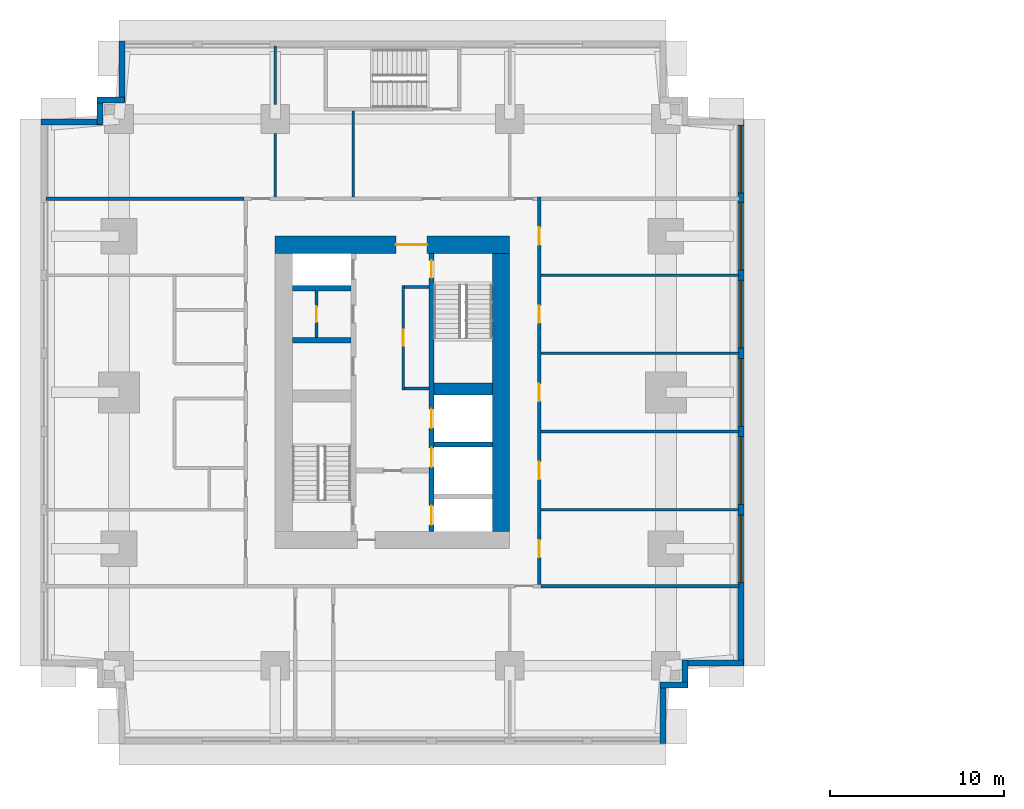
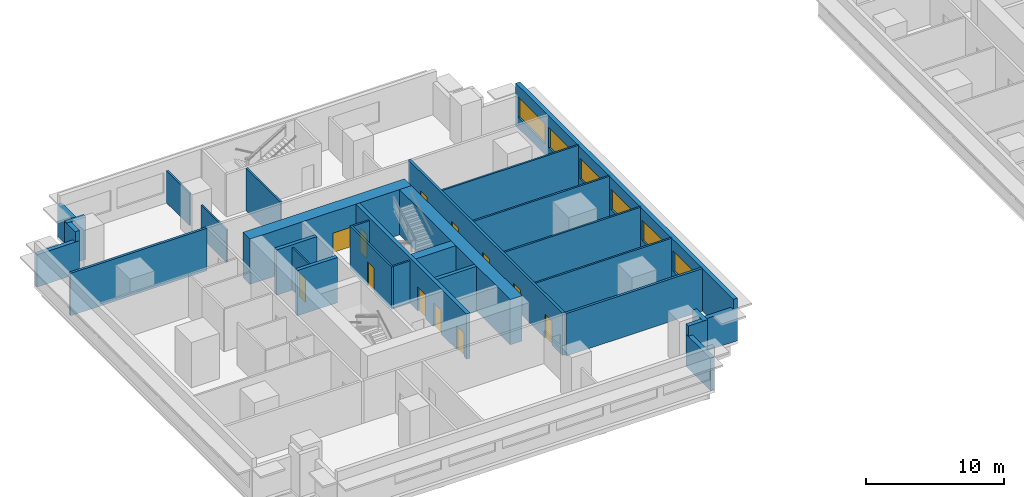
# One storey, part 4 of 11: 30 walls, 12 doors, 6 windows, 18 openings.
"""IFC4 building model written with IfcOpenShell, lengths in metres."""

from ifc_helpers import new_model, si_unit, direction, frame, frame_2d, origin, place, context, subcontext, project, spatial, rectangle, extrude, material, layer, layer_set, type_object, element, fill, save


model = new_model("IFC4")

# Units and contexts
model_context = context("Model", 3, precision=1e-05, world=origin(), true_north=direction((0.0, 1.0)))
body_context = subcontext(model_context, "Body", "Model", "MODEL_VIEW")
ifc_project = project(units=[si_unit("LENGTHUNIT", "METRE"), si_unit("AREAUNIT", "SQUARE_METRE"), si_unit("VOLUMEUNIT", "CUBIC_METRE"), si_unit("PLANEANGLEUNIT", "RADIAN"), si_unit("MASSUNIT", "GRAM", prefix="KILO")], contexts=[model_context])

# Site, building, storey
site_placement = place(None, origin())
site = spatial("IfcSite", under=ifc_project, at=site_placement, CompositionType="ELEMENT")
building_placement = place(site_placement, origin())
building = spatial("IfcBuilding", under=site, at=building_placement, Name="Namib Vertical Campus", CompositionType="ELEMENT")
storey_placement = place(building_placement, frame((0.0, 0.0, 177.0)))
storey = spatial("IfcBuildingStorey", under=building, at=storey_placement, Name="L41", CompositionType="ELEMENT", Elevation=177.0)

# Wall, openings, doors
ifc_material_1 = material(Name="Concrete C60/75", Category="concrete")
ifc_layer_1 = layer(ifc_material_1, 0.300048828125)
ifc_layer_set_1 = layer_set([ifc_layer_1], Name="Concrete C60/75")
wall_type_1 = type_object("IfcWallType", Name="Core inner wall 300", PredefinedType="SHEAR", material=ifc_layer_set_1)
wall_1_placement = place(storey_placement, frame((22.5, 12.25, 0.0), z_axis=(0.0, 0.0, 1.0), x_axis=(0.0, 1.0, 0.0)))
wall_1 = element("IfcWall", 1, at=wall_1_placement, inside=storey, type_object=wall_type_1, Name="Core inner wall A L41 W2", PredefinedType="SHEAR", context=body_context, shape_type="SweptSolid", body=[
    extrude(rectangle(XDim=16.0, YDim=0.300048828125, at=frame_2d((8.0, 0.0))), origin(), (0.0, 0.0, 1.0), 4.0),
])
opening_1_placement = place(wall_1_placement, frame((14.60009765625, 0.0, 0.0)))
opening_1 = element("IfcOpeningElement", 2, at=opening_1_placement, cuts=wall_1, Name="Opening FD1", PredefinedType="OPENING", context=body_context, shape_type="SweptSolid", body=[
    extrude(rectangle(XDim=1.0, YDim=2.10009765625, at=frame_2d((0.5, 1.050048828125))), frame((0.0, 0.159912109375, 0.0), z_axis=(0.0, -1.0, 0.0), x_axis=(1.0, 0.0, 0.0)), (0.0, 0.0, 1.0), 0.320068359375),
])
opening_2_placement = place(wall_1_placement, frame((0.375, 0.0, 0.0)))
opening_2 = element("IfcOpeningElement", 3, at=opening_2_placement, cuts=wall_1, Name="Opening LD1", PredefinedType="OPENING", context=body_context, shape_type="SweptSolid", body=[
    extrude(rectangle(XDim=1.10009765625, YDim=2.10009765625, at=frame_2d((0.550048828125, 1.050048828125))), frame((0.0, 0.159912109375, 0.0), z_axis=(0.0, -1.0, 0.0), x_axis=(1.0, 0.0, 0.0)), (0.0, 0.0, 1.0), 0.320068359375),
])
opening_3_placement = place(wall_1_placement, frame((3.699951171875, 0.0, 0.0)))
opening_3 = element("IfcOpeningElement", 4, at=opening_3_placement, cuts=wall_1, Name="Opening LD1", PredefinedType="OPENING", context=body_context, shape_type="SweptSolid", body=[
    extrude(rectangle(XDim=1.10009765625, YDim=2.10009765625, at=frame_2d((0.550048828125, 1.050048828125))), frame((0.0, 0.159912109375, 0.0), z_axis=(0.0, -1.0, 0.0), x_axis=(1.0, 0.0, 0.0)), (0.0, 0.0, 1.0), 0.320068359375),
])
opening_4_placement = place(wall_1_placement, frame((5.949951171875, 0.0, 0.0)))
opening_4 = element("IfcOpeningElement", 5, at=opening_4_placement, cuts=wall_1, Name="Opening LD1", PredefinedType="OPENING", context=body_context, shape_type="SweptSolid", body=[
    extrude(rectangle(XDim=1.10009765625, YDim=2.10009765625, at=frame_2d((0.550048828125, 1.050048828125))), frame((0.0, 0.159912109375, 0.0), z_axis=(0.0, -1.0, 0.0), x_axis=(1.0, 0.0, 0.0)), (0.0, 0.0, 1.0), 0.320068359375),
])
ifc_material_2 = material(Name="Steel fire door", Category="steel")
door_type_1 = type_object("IfcDoorType", Name="Fire door 1000x2100", OperationType="SINGLE_SWING_RIGHT", PredefinedType="DOOR", material=ifc_material_2)
door_1_placement = place(opening_1_placement, frame((1.0, 0.0, 0.0), z_axis=(0.0, 0.0, 1.0), x_axis=(-1.0, 0.0, 0.0)))
door_1 = element("IfcDoor", 6, at=door_1_placement, inside=storey, type_object=door_type_1, Name="Stair door FD1 A L41 S2", OperationType="SINGLE_SWING_LEFT", OverallHeight=2.10009765625, OverallWidth=1.0, PredefinedType="DOOR", context=body_context, shape_type="SweptSolid", body=[
    extrude(rectangle(XDim=1.0, YDim=2.10009765625, at=frame_2d((0.5, 1.050048828125))), frame((0.0, 0.02490234375, 0.0), z_axis=(0.0, -1.0, 0.0), x_axis=(1.0, 0.0, 0.0)), (0.0, 0.0, 1.0), 0.050048828125),
])
fill(opening_1, door_1)
ifc_material_3 = material(Name="Stainless steel lift door", Category="steel")
door_type_2 = type_object("IfcDoorType", Name="Lift landing door 1100x2100", OperationType="DOUBLE_DOOR_SLIDING", PredefinedType="DOOR", material=ifc_material_3)
door_2_placement = place(opening_2_placement, origin())
door_2 = element("IfcDoor", 7, at=door_2_placement, inside=storey, type_object=door_type_2, Name="Lift landing door LD1 A-FL1 L41", OperationType="DOUBLE_DOOR_SLIDING", OverallHeight=2.10009765625, OverallWidth=1.10009765625, PredefinedType="DOOR", context=body_context, shape_type="SweptSolid", body=[
    extrude(rectangle(XDim=1.10009765625, YDim=2.10009765625, at=frame_2d((0.550048828125, 1.050048828125))), frame((0.0, 0.02490234375, 0.0), z_axis=(0.0, -1.0, 0.0), x_axis=(1.0, 0.0, 0.0)), (0.0, 0.0, 1.0), 0.050048828125),
])
fill(opening_2, door_2)
door_3_placement = place(opening_3_placement, origin())
door_3 = element("IfcDoor", 8, at=door_3_placement, inside=storey, type_object=door_type_2, Name="Lift landing door LD1 A-P4 L41", OperationType="DOUBLE_DOOR_SLIDING", OverallHeight=2.10009765625, OverallWidth=1.10009765625, PredefinedType="DOOR", context=body_context, shape_type="SweptSolid", body=[
    extrude(rectangle(XDim=1.10009765625, YDim=2.10009765625, at=frame_2d((0.550048828125, 1.050048828125))), frame((0.0, 0.02490234375, 0.0), z_axis=(0.0, -1.0, 0.0), x_axis=(1.0, 0.0, 0.0)), (0.0, 0.0, 1.0), 0.050048828125),
])
fill(opening_3, door_3)
door_4_placement = place(opening_4_placement, origin())
door_4 = element("IfcDoor", 9, at=door_4_placement, inside=storey, type_object=door_type_2, Name="Lift landing door LD1 A-P5 L41", OperationType="DOUBLE_DOOR_SLIDING", OverallHeight=2.10009765625, OverallWidth=1.10009765625, PredefinedType="DOOR", context=body_context, shape_type="SweptSolid", body=[
    extrude(rectangle(XDim=1.10009765625, YDim=2.10009765625, at=frame_2d((0.550048828125, 1.050048828125))), frame((0.0, 0.02490234375, 0.0), z_axis=(0.0, -1.0, 0.0), x_axis=(1.0, 0.0, 0.0)), (0.0, 0.0, 1.0), 0.050048828125),
])
fill(opening_4, door_4)

# Walls
for number, where, z_axis, x_axis, name in (
    (10, (22.64990234375, 17.25, 0.0), (0.0, 0.0, 1.0), (1.0, 0.0, 0.0), "Core inner wall A L41 W6"),
    (11, (14.5, 23.25, 0.0), (0.0, 0.0, 1.0), (1.0, 0.0, 0.0), "Core inner wall A L41 W8"),
    (12, (14.5, 26.25, 0.0), (0.0, 0.0, 1.0), (1.0, 0.0, 0.0), "Core inner wall A L41 W9"),
):
    element("IfcWall", number, at=place(storey_placement, frame(where, z_axis=z_axis, x_axis=x_axis)), inside=storey, type_object=wall_type_1, Name=name, PredefinedType="SHEAR", context=body_context, shape_type="SweptSolid", body=[
        extrude(rectangle(XDim=3.35009765625, YDim=0.300048828125, at=frame_2d((1.675048828125, 0.0))), origin(), (0.0, 0.0, 1.0), 4.0),
    ])
ifc_material_4 = material(Name="Concrete C60/75", Category="concrete")
ifc_layer_2 = layer(ifc_material_4, 0.699951171875)
ifc_layer_set_2 = layer_set([ifc_layer_2], Name="Concrete C60/75")
wall_type_2 = type_object("IfcWallType", Name="Core shear wall 700", PredefinedType="SHEAR", material=ifc_layer_set_2)
wall_2_placement = place(storey_placement, frame((22.64990234375, 20.449951171875, 0.0), z_axis=(0.0, 0.0, 1.0), x_axis=(1.0, 0.0, 0.0)))
element("IfcWall", 13, at=wall_2_placement, inside=storey, type_object=wall_type_2, Name="Core shear wall A L41 W7", PredefinedType="SHEAR", context=body_context, shape_type="SweptSolid", body=[
    extrude(rectangle(XDim=3.35009765625, YDim=0.699951171875, at=frame_2d((1.675048828125, 0.0))), origin(), (0.0, 0.0, 1.0), 4.0),
])
ifc_material_5 = material(Name="Concrete C60/75", Category="concrete")
ifc_layer_3 = layer(ifc_material_5, 1.0)
ifc_layer_set_3 = layer_set([ifc_layer_3], Name="Concrete C60/75")
wall_type_3 = type_object("IfcWallType", Name="Core wall 1000", PredefinedType="SHEAR", material=ifc_layer_set_3)
wall_3_placement = place(storey_placement, frame((26.5, 12.25, 0.0), z_axis=(0.0, 0.0, 1.0), x_axis=(0.0, 1.0, 0.0)))
element("IfcWall", 14, at=wall_3_placement, inside=storey, type_object=wall_type_3, Name="Core wall A L41 2", PredefinedType="SHEAR", context=body_context, shape_type="SweptSolid", body=[
    extrude(rectangle(XDim=16.0, YDim=1.0, at=frame_2d((8.0, 0.0))), origin(), (0.0, 0.0, 1.0), 4.0),
])

# Wall, opening, door
wall_4_placement = place(storey_placement, frame((27.0, 28.75, 0.0), z_axis=(0.0, 0.0, 1.0), x_axis=(-1.0, 0.0, 0.0)))
wall_4 = element("IfcWall", 15, at=wall_4_placement, inside=storey, type_object=wall_type_3, Name="Core wall A L41 3", PredefinedType="SHEAR", context=body_context, shape_type="SweptSolid", body=[
    extrude(rectangle(XDim=13.5, YDim=1.0, at=frame_2d((6.75, 0.0))), origin(), (0.0, 0.0, 1.0), 4.0),
])
opening_5_placement = place(wall_4_placement, frame((4.75, 0.0, 0.0)))
opening_5 = element("IfcOpeningElement", 16, at=opening_5_placement, cuts=wall_4, Name="Opening FD2", PredefinedType="OPENING", context=body_context, shape_type="SweptSolid", body=[
    extrude(rectangle(XDim=1.800048828125, YDim=2.10009765625, at=frame_2d((0.89990234375, 1.050048828125))), frame((0.0, 0.510009765625, 0.0), z_axis=(0.0, -1.0, 0.0), x_axis=(1.0, 0.0, 0.0)), (0.0, 0.0, 1.0), 1.02001953125),
])
ifc_material_6 = material(Name="Steel fire door", Category="steel")
door_type_3 = type_object("IfcDoorType", Name="Fire door double 1800x2100", OperationType="DOUBLE_DOOR_SINGLE_SWING", PredefinedType="DOOR", material=ifc_material_6)
door_5_placement = place(opening_5_placement, origin())
door_5 = element("IfcDoor", 17, at=door_5_placement, inside=storey, type_object=door_type_3, Name="Lift lobby door FD2 A L41", OperationType="DOUBLE_DOOR_SINGLE_SWING", OverallHeight=2.10009765625, OverallWidth=1.800048828125, PredefinedType="DOOR", context=body_context, shape_type="SweptSolid", body=[
    extrude(rectangle(XDim=1.800048828125, YDim=2.10009765625, at=frame_2d((0.89990234375, 1.050048828125))), frame((0.0, 0.02490234375, 0.0), z_axis=(0.0, -1.0, 0.0), x_axis=(1.0, 0.0, 0.0)), (0.0, 0.0, 1.0), 0.050048828125),
])
fill(opening_5, door_5)

# Wall, openings, doors
ifc_material_7 = material(Name="Concrete masonry", Category="masonry")
ifc_layer_4 = layer(ifc_material_7, 0.199951171875)
ifc_layer_set_4 = layer_set([ifc_layer_4], Name="Corridor wall 200")
wall_type_4 = type_object("IfcWallType", Name="Corridor wall 200", PredefinedType="SOLIDWALL", material=ifc_layer_set_4)
wall_5_placement = place(storey_placement, frame((28.699951171875, 9.199951171875, 0.0), z_axis=(0.0, 0.0, 1.0), x_axis=(0.0, 1.0, 0.0)))
wall_5 = element("IfcWall", 18, at=wall_5_placement, inside=storey, type_object=wall_type_4, Name="Corridor wall A L41 CE", PredefinedType="SOLIDWALL", context=body_context, shape_type="SweptSolid", body=[
    extrude(rectangle(XDim=22.300048828125, YDim=0.199951171875, at=frame_2d((11.14990234375, 0.0))), origin(), (0.0, 0.0, 1.0), 3.75),
])
opening_6_placement = place(wall_5_placement, frame((1.550048828125, 0.0, 0.0)))
opening_6 = element("IfcOpeningElement", 19, at=opening_6_placement, cuts=wall_5, Name="Opening CD1", PredefinedType="OPENING", context=body_context, shape_type="SweptSolid", body=[
    extrude(rectangle(XDim=1.0, YDim=2.10009765625, at=frame_2d((0.5, 1.050048828125))), frame((0.0, 0.10986328125, 0.0), z_axis=(0.0, -1.0, 0.0), x_axis=(1.0, 0.0, 0.0)), (0.0, 0.0, 1.0), 0.219970703125),
])
opening_7_placement = place(wall_5_placement, frame((6.050048828125, 0.0, 0.0)))
opening_7 = element("IfcOpeningElement", 20, at=opening_7_placement, cuts=wall_5, Name="Opening CD1", PredefinedType="OPENING", context=body_context, shape_type="SweptSolid", body=[
    extrude(rectangle(XDim=1.0, YDim=2.10009765625, at=frame_2d((0.5, 1.050048828125))), frame((0.0, 0.10986328125, 0.0), z_axis=(0.0, -1.0, 0.0), x_axis=(1.0, 0.0, 0.0)), (0.0, 0.0, 1.0), 0.219970703125),
])
opening_8_placement = place(wall_5_placement, frame((10.550048828125, 0.0, 0.0)))
opening_8 = element("IfcOpeningElement", 21, at=opening_8_placement, cuts=wall_5, Name="Opening CD1", PredefinedType="OPENING", context=body_context, shape_type="SweptSolid", body=[
    extrude(rectangle(XDim=1.0, YDim=2.10009765625, at=frame_2d((0.5, 1.050048828125))), frame((0.0, 0.10986328125, 0.0), z_axis=(0.0, -1.0, 0.0), x_axis=(1.0, 0.0, 0.0)), (0.0, 0.0, 1.0), 0.219970703125),
])
opening_9_placement = place(wall_5_placement, frame((15.050048828125, 0.0, 0.0)))
opening_9 = element("IfcOpeningElement", 22, at=opening_9_placement, cuts=wall_5, Name="Opening CD1", PredefinedType="OPENING", context=body_context, shape_type="SweptSolid", body=[
    extrude(rectangle(XDim=1.0, YDim=2.10009765625, at=frame_2d((0.5, 1.050048828125))), frame((0.0, 0.10986328125, 0.0), z_axis=(0.0, -1.0, 0.0), x_axis=(1.0, 0.0, 0.0)), (0.0, 0.0, 1.0), 0.219970703125),
])
opening_10_placement = place(wall_5_placement, frame((19.550048828125, 0.0, 0.0)))
opening_10 = element("IfcOpeningElement", 23, at=opening_10_placement, cuts=wall_5, Name="Opening CD1", PredefinedType="OPENING", context=body_context, shape_type="SweptSolid", body=[
    extrude(rectangle(XDim=1.0, YDim=2.10009765625, at=frame_2d((0.5, 1.050048828125))), frame((0.0, 0.10986328125, 0.0), z_axis=(0.0, -1.0, 0.0), x_axis=(1.0, 0.0, 0.0)), (0.0, 0.0, 1.0), 0.219970703125),
])
ifc_material_8 = material(Name="Timber fire door leaf", Category="wood")
door_type_4 = type_object("IfcDoorType", Name="Corridor door 1000x2100 20 min", OperationType="SINGLE_SWING_LEFT", PredefinedType="DOOR", material=ifc_material_8)
door_6_placement = place(opening_6_placement, frame((1.0, 0.0, 0.0), z_axis=(0.0, 0.0, 1.0), x_axis=(-1.0, 0.0, 0.0)))
door_6 = element("IfcDoor", 24, at=door_6_placement, inside=storey, type_object=door_type_4, Name="Door CD1 A41-04", OperationType="SINGLE_SWING_RIGHT", OverallHeight=2.10009765625, OverallWidth=1.0, PredefinedType="DOOR", context=body_context, shape_type="SweptSolid", body=[
    extrude(rectangle(XDim=1.0, YDim=2.10009765625, at=frame_2d((0.5, 1.050048828125))), frame((0.0, 0.02490234375, 0.0), z_axis=(0.0, -1.0, 0.0), x_axis=(1.0, 0.0, 0.0)), (0.0, 0.0, 1.0), 0.050048828125),
])
fill(opening_6, door_6)
door_7_placement = place(opening_7_placement, frame((1.0, 0.0, 0.0), z_axis=(0.0, 0.0, 1.0), x_axis=(-1.0, 0.0, 0.0)))
door_7 = element("IfcDoor", 25, at=door_7_placement, inside=storey, type_object=door_type_4, Name="Door CD1 A41-05", OperationType="SINGLE_SWING_RIGHT", OverallHeight=2.10009765625, OverallWidth=1.0, PredefinedType="DOOR", context=body_context, shape_type="SweptSolid", body=[
    extrude(rectangle(XDim=1.0, YDim=2.10009765625, at=frame_2d((0.5, 1.050048828125))), frame((0.0, 0.02490234375, 0.0), z_axis=(0.0, -1.0, 0.0), x_axis=(1.0, 0.0, 0.0)), (0.0, 0.0, 1.0), 0.050048828125),
])
fill(opening_7, door_7)
door_8_placement = place(opening_8_placement, frame((1.0, 0.0, 0.0), z_axis=(0.0, 0.0, 1.0), x_axis=(-1.0, 0.0, 0.0)))
door_8 = element("IfcDoor", 26, at=door_8_placement, inside=storey, type_object=door_type_4, Name="Door CD1 A41-06", OperationType="SINGLE_SWING_RIGHT", OverallHeight=2.10009765625, OverallWidth=1.0, PredefinedType="DOOR", context=body_context, shape_type="SweptSolid", body=[
    extrude(rectangle(XDim=1.0, YDim=2.10009765625, at=frame_2d((0.5, 1.050048828125))), frame((0.0, 0.02490234375, 0.0), z_axis=(0.0, -1.0, 0.0), x_axis=(1.0, 0.0, 0.0)), (0.0, 0.0, 1.0), 0.050048828125),
])
fill(opening_8, door_8)
door_9_placement = place(opening_9_placement, frame((1.0, 0.0, 0.0), z_axis=(0.0, 0.0, 1.0), x_axis=(-1.0, 0.0, 0.0)))
door_9 = element("IfcDoor", 27, at=door_9_placement, inside=storey, type_object=door_type_4, Name="Door CD1 A41-07", OperationType="SINGLE_SWING_RIGHT", OverallHeight=2.10009765625, OverallWidth=1.0, PredefinedType="DOOR", context=body_context, shape_type="SweptSolid", body=[
    extrude(rectangle(XDim=1.0, YDim=2.10009765625, at=frame_2d((0.5, 1.050048828125))), frame((0.0, 0.02490234375, 0.0), z_axis=(0.0, -1.0, 0.0), x_axis=(1.0, 0.0, 0.0)), (0.0, 0.0, 1.0), 0.050048828125),
])
fill(opening_9, door_9)
door_10_placement = place(opening_10_placement, frame((1.0, 0.0, 0.0), z_axis=(0.0, 0.0, 1.0), x_axis=(-1.0, 0.0, 0.0)))
door_10 = element("IfcDoor", 28, at=door_10_placement, inside=storey, type_object=door_type_4, Name="Door CD1 A41-08", OperationType="SINGLE_SWING_RIGHT", OverallHeight=2.10009765625, OverallWidth=1.0, PredefinedType="DOOR", context=body_context, shape_type="SweptSolid", body=[
    extrude(rectangle(XDim=1.0, YDim=2.10009765625, at=frame_2d((0.5, 1.050048828125))), frame((0.0, 0.02490234375, 0.0), z_axis=(0.0, -1.0, 0.0), x_axis=(1.0, 0.0, 0.0)), (0.0, 0.0, 1.0), 0.050048828125),
])
fill(opening_10, door_10)

# Walls
for number, where, z_axis, x_axis, name in (
    (29, (28.800048828125, 9.10009765625, 0.0), (0.0, 0.0, 1.0), (1.0, 0.0, 0.0), "Partition A L41 BSE"),
    (30, (0.300048828125, 31.39990234375, 0.0), (0.0, 0.0, 1.0), (1.0, 0.0, 0.0), "Partition A L41 BNW"),
):
    element("IfcWall", number, at=place(storey_placement, frame(where, z_axis=z_axis, x_axis=x_axis)), inside=storey, type_object=wall_type_4, Name=name, PredefinedType="SOLIDWALL", context=body_context, shape_type="SweptSolid", body=[
        extrude(rectangle(XDim=11.39990234375, YDim=0.199951171875, at=frame_2d((5.699951171875, 0.0))), origin(), (0.0, 0.0, 1.0), 3.75),
    ])
ifc_material_9 = material(Name="Concrete C40/50", Category="concrete")
ifc_layer_5 = layer(ifc_material_9, 0.35009765625)
ifc_layer_set_5 = layer_set([ifc_layer_5], Name="Concrete C40/50")
wall_type_5 = type_object("IfcWallType", Name="External wall 350 bush-hammered concrete", PredefinedType="STANDARD", material=ifc_layer_set_5)
wall_6_placement = place(storey_placement, frame((35.824951171875, 0.02001953125, 0.0), z_axis=(0.0, 0.0, 1.0), x_axis=(0.0, 1.0, 0.0)))
element("IfcWall", 31, at=wall_6_placement, inside=storey, type_object=wall_type_5, Name="External wall L41 F02", PredefinedType="STANDARD", context=body_context, shape_type="SweptSolid", body=[
    extrude(rectangle(XDim=3.534912109375, YDim=0.35009765625, at=frame_2d((1.767578125, 0.0))), origin(), (0.0, 0.0, 1.0), 2.85009765625),
])
for number, where, z_axis, x_axis, name in (
    (32, (35.669921875, 3.39990234375, 0.0), (0.0, 0.0, 1.0), (1.0, 0.0, 0.0), "External wall L41 F03"),
    (33, (37.10009765625, 3.2451171875, 0.0), (0.0, 0.0, 1.0), (0.0, 1.0, 0.0), "External wall L41 F04"),
):
    element("IfcWall", number, at=place(storey_placement, frame(where, z_axis=z_axis, x_axis=x_axis)), inside=storey, type_object=wall_type_5, Name=name, PredefinedType="STANDARD", context=body_context, shape_type="SweptSolid", body=[
        extrude(rectangle(XDim=1.5849609375, YDim=0.35009765625, at=frame_2d((0.79248046875, 0.0))), origin(), (0.0, 0.0, 1.0), 3.75),
    ])
wall_7_placement = place(storey_placement, frame((36.945068359375, 4.675048828125, 0.0), z_axis=(0.0, 0.0, 1.0), x_axis=(1.0, 0.0, 0.0)))
element("IfcWall", 34, at=wall_7_placement, inside=storey, type_object=wall_type_5, Name="External wall L41 F05", PredefinedType="STANDARD", context=body_context, shape_type="SweptSolid", body=[
    extrude(rectangle(XDim=3.534912109375, YDim=0.35009765625, at=frame_2d((1.767578125, 0.0))), origin(), (0.0, 0.0, 1.0), 2.85009765625),
])

# Wall, openings, windows
wall_8_placement = place(storey_placement, frame((40.324951171875, 4.52001953125, 0.0), z_axis=(0.0, 0.0, 1.0), x_axis=(0.0, 1.0, 0.0)))
wall_8 = element("IfcWall", 35, at=wall_8_placement, inside=storey, type_object=wall_type_5, Name="External wall L41 F06", PredefinedType="STANDARD", context=body_context, shape_type="SweptSolid", body=[
    extrude(rectangle(XDim=31.4599609375, YDim=0.35009765625, at=frame_2d((15.72998046875, 0.0))), origin(), (0.0, 0.0, 1.0), 3.75),
])
opening_11_placement = place(wall_8_placement, frame((4.780029296875, 0.0, 0.949951171875)))
opening_11 = element("IfcOpeningElement", 36, at=opening_11_placement, cuts=wall_8, Name="Opening W3", PredefinedType="OPENING", context=body_context, shape_type="SweptSolid", body=[
    extrude(rectangle(XDim=3.89990234375, YDim=1.800048828125, at=frame_2d((1.949951171875, 0.89990234375))), frame((0.0, 0.18505859375, 0.0), z_axis=(0.0, -1.0, 0.0), x_axis=(1.0, 0.0, 0.0)), (0.0, 0.0, 1.0), 0.3701171875),
])
opening_12_placement = place(wall_8_placement, frame((9.280029296875, 0.0, 0.949951171875)))
opening_12 = element("IfcOpeningElement", 37, at=opening_12_placement, cuts=wall_8, Name="Opening W3", PredefinedType="OPENING", context=body_context, shape_type="SweptSolid", body=[
    extrude(rectangle(XDim=3.89990234375, YDim=1.800048828125, at=frame_2d((1.949951171875, 0.89990234375))), frame((0.0, 0.18505859375, 0.0), z_axis=(0.0, -1.0, 0.0), x_axis=(1.0, 0.0, 0.0)), (0.0, 0.0, 1.0), 0.3701171875),
])
opening_13_placement = place(wall_8_placement, frame((13.780029296875, 0.0, 0.949951171875)))
opening_13 = element("IfcOpeningElement", 38, at=opening_13_placement, cuts=wall_8, Name="Opening W3", PredefinedType="OPENING", context=body_context, shape_type="SweptSolid", body=[
    extrude(rectangle(XDim=3.89990234375, YDim=1.800048828125, at=frame_2d((1.949951171875, 0.89990234375))), frame((0.0, 0.18505859375, 0.0), z_axis=(0.0, -1.0, 0.0), x_axis=(1.0, 0.0, 0.0)), (0.0, 0.0, 1.0), 0.3701171875),
])
opening_14_placement = place(wall_8_placement, frame((18.280029296875, 0.0, 0.949951171875)))
opening_14 = element("IfcOpeningElement", 39, at=opening_14_placement, cuts=wall_8, Name="Opening W3", PredefinedType="OPENING", context=body_context, shape_type="SweptSolid", body=[
    extrude(rectangle(XDim=3.89990234375, YDim=1.800048828125, at=frame_2d((1.949951171875, 0.89990234375))), frame((0.0, 0.18505859375, 0.0), z_axis=(0.0, -1.0, 0.0), x_axis=(1.0, 0.0, 0.0)), (0.0, 0.0, 1.0), 0.3701171875),
])
opening_15_placement = place(wall_8_placement, frame((22.780029296875, 0.0, 0.949951171875)))
opening_15 = element("IfcOpeningElement", 40, at=opening_15_placement, cuts=wall_8, Name="Opening W3", PredefinedType="OPENING", context=body_context, shape_type="SweptSolid", body=[
    extrude(rectangle(XDim=3.89990234375, YDim=1.800048828125, at=frame_2d((1.949951171875, 0.89990234375))), frame((0.0, 0.18505859375, 0.0), z_axis=(0.0, -1.0, 0.0), x_axis=(1.0, 0.0, 0.0)), (0.0, 0.0, 1.0), 0.3701171875),
])
opening_16_placement = place(wall_8_placement, frame((27.2099609375, 0.0, 0.949951171875)))
opening_16 = element("IfcOpeningElement", 41, at=opening_16_placement, cuts=wall_8, Name="Opening W3", PredefinedType="OPENING", context=body_context, shape_type="SweptSolid", body=[
    extrude(rectangle(XDim=3.89990234375, YDim=1.800048828125, at=frame_2d((1.949951171875, 0.89990234375))), frame((0.0, 0.18505859375, 0.0), z_axis=(0.0, -1.0, 0.0), x_axis=(1.0, 0.0, 0.0)), (0.0, 0.0, 1.0), 0.3701171875),
])
ifc_material_10 = material(Name="Dark tinted glass in black aluminium frame", Category="aluminium")
window_type = type_object("IfcWindowType", Name="Ribbon window 3900x1800", PartitioningType="SINGLE_PANEL", PredefinedType="WINDOW", material=ifc_material_10)
window_1_placement = place(opening_11_placement, origin())
window_1 = element("IfcWindow", 42, at=window_1_placement, inside=storey, type_object=window_type, Name="Window W3 L41 F06-2", OverallHeight=1.800048828125, OverallWidth=3.89990234375, PartitioningType="SINGLE_PANEL", PredefinedType="WINDOW", context=body_context, shape_type="SweptSolid", body=[
    extrude(rectangle(XDim=3.89990234375, YDim=1.800048828125, at=frame_2d((1.949951171875, 0.89990234375))), frame((0.0, 0.030029296875, 0.0), z_axis=(0.0, -1.0, 0.0), x_axis=(1.0, 0.0, 0.0)), (0.0, 0.0, 1.0), 0.06005859375),
])
fill(opening_11, window_1)
window_2_placement = place(opening_12_placement, origin())
window_2 = element("IfcWindow", 43, at=window_2_placement, inside=storey, type_object=window_type, Name="Window W3 L41 F06-3", OverallHeight=1.800048828125, OverallWidth=3.89990234375, PartitioningType="SINGLE_PANEL", PredefinedType="WINDOW", context=body_context, shape_type="SweptSolid", body=[
    extrude(rectangle(XDim=3.89990234375, YDim=1.800048828125, at=frame_2d((1.949951171875, 0.89990234375))), frame((0.0, 0.030029296875, 0.0), z_axis=(0.0, -1.0, 0.0), x_axis=(1.0, 0.0, 0.0)), (0.0, 0.0, 1.0), 0.06005859375),
])
fill(opening_12, window_2)
window_3_placement = place(opening_13_placement, origin())
window_3 = element("IfcWindow", 44, at=window_3_placement, inside=storey, type_object=window_type, Name="Window W3 L41 F06-4", OverallHeight=1.800048828125, OverallWidth=3.89990234375, PartitioningType="SINGLE_PANEL", PredefinedType="WINDOW", context=body_context, shape_type="SweptSolid", body=[
    extrude(rectangle(XDim=3.89990234375, YDim=1.800048828125, at=frame_2d((1.949951171875, 0.89990234375))), frame((0.0, 0.030029296875, 0.0), z_axis=(0.0, -1.0, 0.0), x_axis=(1.0, 0.0, 0.0)), (0.0, 0.0, 1.0), 0.06005859375),
])
fill(opening_13, window_3)
window_4_placement = place(opening_14_placement, origin())
window_4 = element("IfcWindow", 45, at=window_4_placement, inside=storey, type_object=window_type, Name="Window W3 L41 F06-5", OverallHeight=1.800048828125, OverallWidth=3.89990234375, PartitioningType="SINGLE_PANEL", PredefinedType="WINDOW", context=body_context, shape_type="SweptSolid", body=[
    extrude(rectangle(XDim=3.89990234375, YDim=1.800048828125, at=frame_2d((1.949951171875, 0.89990234375))), frame((0.0, 0.030029296875, 0.0), z_axis=(0.0, -1.0, 0.0), x_axis=(1.0, 0.0, 0.0)), (0.0, 0.0, 1.0), 0.06005859375),
])
fill(opening_14, window_4)
window_5_placement = place(opening_15_placement, origin())
window_5 = element("IfcWindow", 46, at=window_5_placement, inside=storey, type_object=window_type, Name="Window W3 L41 F06-6", OverallHeight=1.800048828125, OverallWidth=3.89990234375, PartitioningType="SINGLE_PANEL", PredefinedType="WINDOW", context=body_context, shape_type="SweptSolid", body=[
    extrude(rectangle(XDim=3.89990234375, YDim=1.800048828125, at=frame_2d((1.949951171875, 0.89990234375))), frame((0.0, 0.030029296875, 0.0), z_axis=(0.0, -1.0, 0.0), x_axis=(1.0, 0.0, 0.0)), (0.0, 0.0, 1.0), 0.06005859375),
])
fill(opening_15, window_5)
window_6_placement = place(opening_16_placement, origin())
window_6 = element("IfcWindow", 47, at=window_6_placement, inside=storey, type_object=window_type, Name="Window W3 L41 F06-7", OverallHeight=1.800048828125, OverallWidth=3.89990234375, PartitioningType="SINGLE_PANEL", PredefinedType="WINDOW", context=body_context, shape_type="SweptSolid", body=[
    extrude(rectangle(XDim=3.89990234375, YDim=1.800048828125, at=frame_2d((1.949951171875, 0.89990234375))), frame((0.0, 0.030029296875, 0.0), z_axis=(0.0, -1.0, 0.0), x_axis=(1.0, 0.0, 0.0)), (0.0, 0.0, 1.0), 0.06005859375),
])
fill(opening_16, window_6)

# Walls
wall_9_placement = place(storey_placement, frame((4.675048828125, 40.47998046875, 0.0), z_axis=(0.0, 0.0, 1.0), x_axis=(0.0, -1.0, 0.0)))
element("IfcWall", 48, at=wall_9_placement, inside=storey, type_object=wall_type_5, Name="External wall L41 F12", PredefinedType="STANDARD", context=body_context, shape_type="SweptSolid", body=[
    extrude(rectangle(XDim=3.534912109375, YDim=0.35009765625, at=frame_2d((1.767578125, 0.0))), origin(), (0.0, 0.0, 1.0), 2.85009765625),
])
for number, where, z_axis, x_axis, name in (
    (49, (4.830078125, 37.10009765625, 0.0), (0.0, 0.0, 1.0), (-1.0, 0.0, 0.0), "External wall L41 F13"),
    (50, (3.39990234375, 37.2548828125, 0.0), (0.0, 0.0, 1.0), (0.0, -1.0, 0.0), "External wall L41 F14"),
):
    element("IfcWall", number, at=place(storey_placement, frame(where, z_axis=z_axis, x_axis=x_axis)), inside=storey, type_object=wall_type_5, Name=name, PredefinedType="STANDARD", context=body_context, shape_type="SweptSolid", body=[
        extrude(rectangle(XDim=1.5849609375, YDim=0.35009765625, at=frame_2d((0.79248046875, 0.0))), origin(), (0.0, 0.0, 1.0), 3.75),
    ])
wall_10_placement = place(storey_placement, frame((3.554931640625, 35.824951171875, 0.0), z_axis=(0.0, 0.0, 1.0), x_axis=(-1.0, 0.0, 0.0)))
element("IfcWall", 51, at=wall_10_placement, inside=storey, type_object=wall_type_5, Name="External wall L41 F15", PredefinedType="STANDARD", context=body_context, shape_type="SweptSolid", body=[
    extrude(rectangle(XDim=3.534912109375, YDim=0.35009765625, at=frame_2d((1.767578125, 0.0))), origin(), (0.0, 0.0, 1.0), 2.85009765625),
])

# Wall, opening, door
ifc_material_11 = material(Name="Gypsum board on steel studs", Category="steel")
ifc_layer_6 = layer(ifc_material_11, 0.14990234375)
ifc_layer_set_6 = layer_set([ifc_layer_6], Name="Gypsum board on steel studs")
wall_type_6 = type_object("IfcWallType", Name="Partition 150", PredefinedType="PARTITIONING", material=ifc_layer_set_6)
wall_11_placement = place(storey_placement, frame((20.875, 20.39990234375, 0.0), z_axis=(0.0, 0.0, 1.0), x_axis=(0.0, 1.0, 0.0)))
wall_11 = element("IfcWall", 52, at=wall_11_placement, inside=storey, type_object=wall_type_6, Name="Partition A L41 Store front", PredefinedType="PARTITIONING", context=body_context, shape_type="SweptSolid", body=[
    extrude(rectangle(XDim=6.0, YDim=0.14990234375, at=frame_2d((3.0, 0.0))), origin(), (0.0, 0.0, 1.0), 3.75),
])
opening_17_placement = place(wall_11_placement, frame((2.550048828125, 0.0, 0.0)))
opening_17 = element("IfcOpeningElement", 53, at=opening_17_placement, cuts=wall_11, Name="Opening D3", PredefinedType="OPENING", context=body_context, shape_type="SweptSolid", body=[
    extrude(rectangle(XDim=0.89990234375, YDim=2.10009765625, at=frame_2d((0.449951171875, 1.050048828125))), frame((0.0, 0.0849609375, 0.0), z_axis=(0.0, -1.0, 0.0), x_axis=(1.0, 0.0, 0.0)), (0.0, 0.0, 1.0), 0.169921875),
])
ifc_material_12 = material(Name="Timber door leaf", Category="wood")
door_type_5 = type_object("IfcDoorType", Name="Toilet door 900x2100", OperationType="SINGLE_SWING_LEFT", PredefinedType="DOOR", material=ifc_material_12)
door_11_placement = place(opening_17_placement, frame((0.89990234375, 0.0, 0.0), z_axis=(0.0, 0.0, 1.0), x_axis=(-1.0, 0.0, 0.0)))
door_11 = element("IfcDoor", 54, at=door_11_placement, inside=storey, type_object=door_type_5, Name="Door D3 Store A L41", OperationType="SINGLE_SWING_RIGHT", OverallHeight=2.10009765625, OverallWidth=0.89990234375, PredefinedType="DOOR", context=body_context, shape_type="SweptSolid", body=[
    extrude(rectangle(XDim=0.89990234375, YDim=2.10009765625, at=frame_2d((0.449951171875, 1.050048828125))), frame((0.0, 0.02490234375, 0.0), z_axis=(0.0, -1.0, 0.0), x_axis=(1.0, 0.0, 0.0)), (0.0, 0.0, 1.0), 0.050048828125),
])
fill(opening_17, door_11)

# Walls
for number, where, z_axis, x_axis, name in (
    (55, (20.949951171875, 20.47509765625, 0.0), (0.0, 0.0, 1.0), (1.0, 0.0, 0.0), "Partition A L41 Store end 1"),
    (56, (20.949951171875, 26.324951171875, 0.0), (0.0, 0.0, 1.0), (1.0, 0.0, 0.0), "Partition A L41 Store end 2"),
):
    element("IfcWall", number, at=place(storey_placement, frame(where, z_axis=z_axis, x_axis=x_axis)), inside=storey, type_object=wall_type_6, Name=name, PredefinedType="PARTITIONING", context=body_context, shape_type="SweptSolid", body=[
        extrude(rectangle(XDim=1.400146484375, YDim=0.14990234375, at=frame_2d((0.7001953125, 0.0))), origin(), (0.0, 0.0, 1.0), 3.75),
    ])

# Wall, opening, door
wall_12_placement = place(storey_placement, frame((15.875, 23.39990234375, 0.0), z_axis=(0.0, 0.0, 1.0), x_axis=(0.0, 1.0, 0.0)))
wall_12 = element("IfcWall", 57, at=wall_12_placement, inside=storey, type_object=wall_type_6, Name="Partition A L41 Records store P2 back", PredefinedType="PARTITIONING", context=body_context, shape_type="SweptSolid", body=[
    extrude(rectangle(XDim=2.7001953125, YDim=0.14990234375, at=frame_2d((1.35009765625, 0.0))), origin(), (0.0, 0.0, 1.0), 3.75),
])
opening_18_placement = place(wall_12_placement, frame((0.89990234375, 0.0, 0.0)))
opening_18 = element("IfcOpeningElement", 58, at=opening_18_placement, cuts=wall_12, Name="Opening D3", PredefinedType="OPENING", context=body_context, shape_type="SweptSolid", body=[
    extrude(rectangle(XDim=0.89990234375, YDim=2.10009765625, at=frame_2d((0.449951171875, 1.050048828125))), frame((0.0, 0.0849609375, 0.0), z_axis=(0.0, -1.0, 0.0), x_axis=(1.0, 0.0, 0.0)), (0.0, 0.0, 1.0), 0.169921875),
])
door_12_placement = place(opening_18_placement, origin())
door_12 = element("IfcDoor", 59, at=door_12_placement, inside=storey, type_object=door_type_5, Name="Door D3 Store A L41 P2", OperationType="SINGLE_SWING_LEFT", OverallHeight=2.10009765625, OverallWidth=0.89990234375, PredefinedType="DOOR", context=body_context, shape_type="SweptSolid", body=[
    extrude(rectangle(XDim=0.89990234375, YDim=2.10009765625, at=frame_2d((0.449951171875, 1.050048828125))), frame((0.0, 0.02490234375, 0.0), z_axis=(0.0, -1.0, 0.0), x_axis=(1.0, 0.0, 0.0)), (0.0, 0.0, 1.0), 0.050048828125),
])
fill(opening_18, door_12)

# Walls
wall_13_placement = place(storey_placement, frame((13.5, 31.5, 0.0), z_axis=(0.0, 0.0, 1.0), x_axis=(0.0, 1.0, 0.0)))
element("IfcWall", 60, at=wall_13_placement, inside=storey, type_object=wall_type_6, Name="Partition A L41 PN1", PredefinedType="PARTITIONING", context=body_context, shape_type="SweptSolid", body=[
    extrude(rectangle(XDim=3.655029296875, YDim=0.14990234375, at=frame_2d((1.82763671875, 0.0))), origin(), (0.0, 0.0, 1.0), 2.85009765625),
])
wall_14_placement = place(storey_placement, frame((13.5, 36.844970703125, 0.0), z_axis=(0.0, 0.0, 1.0), x_axis=(0.0, 1.0, 0.0)))
element("IfcWall", 61, at=wall_14_placement, inside=storey, type_object=wall_type_6, Name="Partition A L41 PN1", PredefinedType="PARTITIONING", context=body_context, shape_type="SweptSolid", body=[
    extrude(rectangle(XDim=3.35498046875, YDim=0.14990234375, at=frame_2d((1.677490234375, 0.0))), origin(), (0.0, 0.0, 1.0), 2.85009765625),
])
wall_15_placement = place(storey_placement, frame((18.0, 31.5, 0.0), z_axis=(0.0, 0.0, 1.0), x_axis=(0.0, 1.0, 0.0)))
element("IfcWall", 62, at=wall_15_placement, inside=storey, type_object=wall_type_6, Name="Partition A L41 PN2", PredefinedType="PARTITIONING", context=body_context, shape_type="SweptSolid", body=[
    extrude(rectangle(XDim=4.949951171875, YDim=0.14990234375, at=frame_2d((2.47509765625, 0.0))), origin(), (0.0, 0.0, 1.0), 3.75),
])
for number, where, z_axis, x_axis, name in (
    (63, (28.800048828125, 13.5, 0.0), (0.0, 0.0, 1.0), (1.0, 0.0, 0.0), "Partition A L41 PE1"),
    (64, (28.800048828125, 18.0, 0.0), (0.0, 0.0, 1.0), (1.0, 0.0, 0.0), "Partition A L41 PE2"),
    (65, (28.800048828125, 22.5, 0.0), (0.0, 0.0, 1.0), (1.0, 0.0, 0.0), "Partition A L41 PE3"),
    (66, (28.800048828125, 27.0, 0.0), (0.0, 0.0, 1.0), (1.0, 0.0, 0.0), "Partition A L41 PE4"),
):
    element("IfcWall", number, at=place(storey_placement, frame(where, z_axis=z_axis, x_axis=x_axis)), inside=storey, type_object=wall_type_6, Name=name, PredefinedType="PARTITIONING", context=body_context, shape_type="SweptSolid", body=[
        extrude(rectangle(XDim=11.39990234375, YDim=0.14990234375, at=frame_2d((5.699951171875, 0.0))), origin(), (0.0, 0.0, 1.0), 3.75),
    ])

save(model, "model.ifc")
